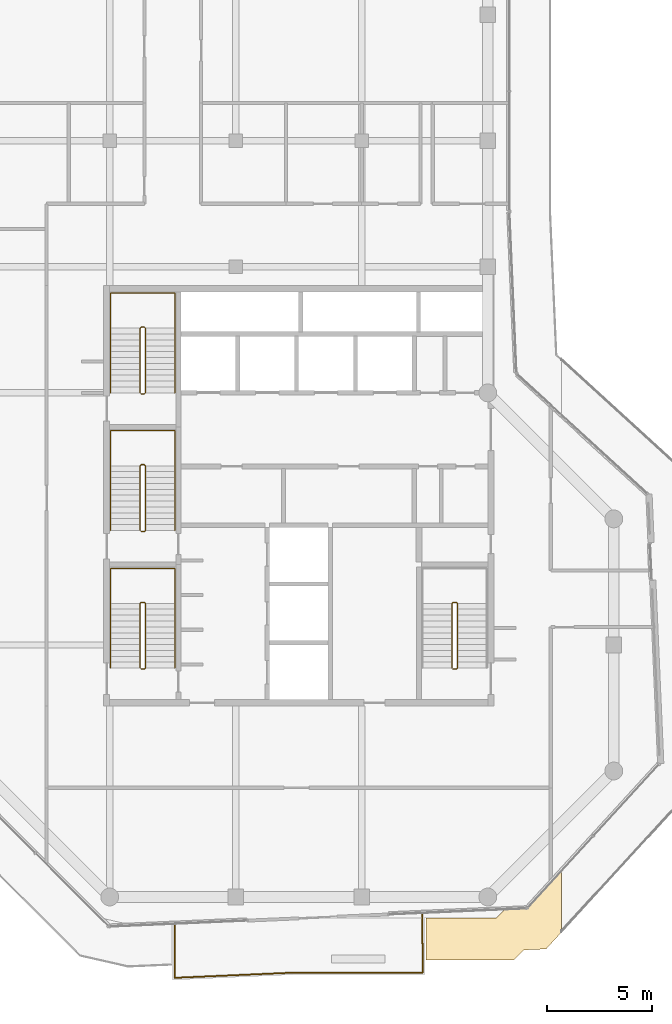
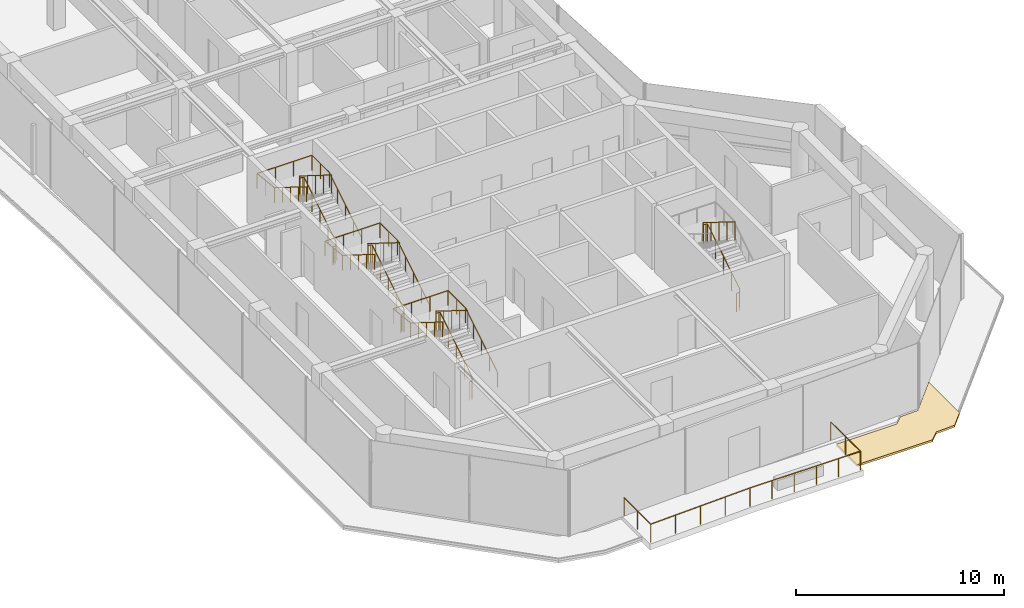
# One storey, part 19 of 20: 8 railings, 1 covering.
"""IFC4 building model written with IfcOpenShell, lengths in metres."""

from ifc_helpers import new_model, si_unit, direction, frame, origin, origin_2d, place, context, subcontext, project, spatial, polyline, circle, outline, extrude, material, layer, layer_set, type_object, element, save


model = new_model("IFC4")

# Units and contexts
model_context = context("Model", 3, precision=1e-05, world=origin(), true_north=direction((0.0, 1.0)))
body_context = subcontext(model_context, "Body", "Model", "MODEL_VIEW")
ifc_project = project(units=[si_unit("LENGTHUNIT", "METRE"), si_unit("AREAUNIT", "SQUARE_METRE"), si_unit("VOLUMEUNIT", "CUBIC_METRE"), si_unit("PLANEANGLEUNIT", "RADIAN"), si_unit("MASSUNIT", "GRAM", prefix="KILO")], contexts=[model_context])

# Site, building, storey
site_placement = place(None, origin())
site = spatial("IfcSite", under=ifc_project, at=site_placement, CompositionType="ELEMENT")
building_placement = place(site_placement, origin())
building = spatial("IfcBuilding", under=site, at=building_placement, Name="Welwitschia Terrace Campus", CompositionType="ELEMENT")
storey_placement = place(building_placement, frame((0.0, 0.0, 297.800048828125)))
storey = spatial("IfcBuildingStorey", under=building, at=storey_placement, Name="L66", CompositionType="ELEMENT", Elevation=297.800048828125)

# Railings
ifc_material_1 = material(Name="Stainless steel grade 316", Category="steel")
railing_type_1 = type_object("IfcRailingType", Name="Guard 1100", PredefinedType="GUARDRAIL", material=ifc_material_1)
railing_1_placement = place(storey_placement, frame((20.88427734375, -4.760009765625, 0.0)))
element("IfcRailing", 1, at=railing_1_placement, inside=storey, type_object=railing_type_1, Name="Guard terrace L66:0:0.0", PredefinedType="GUARDRAIL", context=body_context, shape_type="SweptSolid", body=[
    extrude(circle(Radius=0.02392578125, at=origin_2d()), frame((0.0, 0.0, 1.076171875), z_axis=(0.005501507046, -0.999984866596, 0.0), x_axis=(0.999984866596, 0.005501507046, 0.0)), (0.0, 0.0, 1.0), 2.840087890625),
    extrude(circle(Radius=0.02392578125, at=origin_2d()), frame((0.015625, -2.840087890625, 1.076171875), z_axis=(-1.0, 0.0, 0.0), x_axis=(0.0, -1.0, 0.0)), (0.0, 0.0, 1.0), 6.1416015625),
    extrude(circle(Radius=0.02392578125, at=origin_2d()), frame((-6.1259765625, -2.840087890625, 1.076171875), z_axis=(-0.999049885243, -0.043581266568, 0.0), x_axis=(0.043581266568, -0.999049885243, 0.0)), (0.0, 0.0, 1.0), 5.66357421875),
    extrude(circle(Radius=0.02392578125, at=origin_2d()), frame((-11.7841796875, -3.0869140625, 1.076171875), z_axis=(-0.001518745282, 0.999998846706, 0.0), x_axis=(-0.999998846706, -0.001518745282, 0.0)), (0.0, 0.0, 1.0), 2.572021484375),
    extrude(circle(Radius=0.02099609375, at=origin_2d()), origin(), (0.0, 0.0, 1.0), 1.052001953125),
    extrude(circle(Radius=0.02099609375, at=origin_2d()), frame((0.0078125, -1.419921875, 0.0)), (0.0, 0.0, 1.0), 1.052001953125),
    extrude(circle(Radius=0.02099609375, at=origin_2d()), frame((0.015625, -2.840087890625, 0.0)), (0.0, 0.0, 1.0), 1.052001953125),
    extrude(circle(Radius=0.02099609375, at=origin_2d()), frame((-1.212646484375, -2.840087890625, 0.0)), (0.0, 0.0, 1.0), 1.052001953125),
    extrude(circle(Radius=0.02099609375, at=origin_2d()), frame((-2.44091796875, -2.840087890625, 0.0)), (0.0, 0.0, 1.0), 1.052001953125),
    extrude(circle(Radius=0.02099609375, at=origin_2d()), frame((-3.66943359375, -2.840087890625, 0.0)), (0.0, 0.0, 1.0), 1.052001953125),
    extrude(circle(Radius=0.02099609375, at=origin_2d()), frame((-4.897705078125, -2.840087890625, 0.0)), (0.0, 0.0, 1.0), 1.052001953125),
    extrude(circle(Radius=0.02099609375, at=origin_2d()), frame((-6.1259765625, -2.840087890625, 0.0)), (0.0, 0.0, 1.0), 1.052001953125),
    extrude(circle(Radius=0.02099609375, at=origin_2d()), frame((-7.54052734375, -2.90185546875, 0.0)), (0.0, 0.0, 1.0), 1.052001953125),
    extrude(circle(Radius=0.02099609375, at=origin_2d()), frame((-8.955078125, -2.96337890625, 0.0)), (0.0, 0.0, 1.0), 1.052001953125),
    extrude(circle(Radius=0.02099609375, at=origin_2d()), frame((-10.36962890625, -3.025146484375, 0.0)), (0.0, 0.0, 1.0), 1.052001953125),
    extrude(circle(Radius=0.02099609375, at=origin_2d()), frame((-11.7841796875, -3.0869140625, 0.0)), (0.0, 0.0, 1.0), 1.052001953125),
    extrude(circle(Radius=0.02099609375, at=origin_2d()), frame((-11.7861328125, -1.80078125, 0.0)), (0.0, 0.0, 1.0), 1.052001953125),
    extrude(circle(Radius=0.02099609375, at=origin_2d()), frame((-11.7880859375, -0.514892578125, 0.0)), (0.0, 0.0, 1.0), 1.052001953125),
])
ifc_material_2 = material(Name="Steel S355", Category="steel")
railing_type_2 = type_object("IfcRailingType", Name="Stair guard 1100", PredefinedType="GUARDRAIL", material=ifc_material_2)
railing_2_placement = place(storey_placement, frame((7.5, 6.85009765625, 0.0)))
element("IfcRailing", 2, at=railing_2_placement, inside=storey, type_object=railing_type_2, Name="L66 S1 stair guard", PredefinedType="GUARDRAIL", context=body_context, shape_type="SweptSolid", body=[
    extrude(circle(Radius=0.02392578125, at=origin_2d()), frame((0.0, 0.0, 1.076171875), z_axis=(1.0, 0.0, 0.0), x_axis=(0.0, 1.0, 0.0)), (0.0, 0.0, 1.0), 0.14990234375),
    extrude(circle(Radius=0.02392578125, at=origin_2d()), frame((0.14990234375, 0.0, 1.076171875), z_axis=(0.265155923931, 0.263862480399, 0.927399011991), x_axis=(-0.705375805398, 0.708833529934, 0.0)), (0.0, 0.0, 1.0), 0.188720703125),
    extrude(circle(Radius=0.02392578125, at=origin_2d()), frame((0.199951171875, 0.0498046875, 1.2509765625), z_axis=(0.0, 0.848028513186, 0.529950602248), x_axis=(-1.0, 0.0, 0.0)), (0.0, 0.0, 1.0), 3.632080078125),
    extrude(circle(Radius=0.02392578125, at=origin_2d()), frame((0.199951171875, 3.1298828125, 3.17578125), z_axis=(-0.707106781187, 0.707106781187, 0.0), x_axis=(-0.707106781187, -0.707106781187, 0.0)), (0.0, 0.0, 1.0), 0.07080078125),
    extrude(circle(Radius=0.02392578125, at=origin_2d()), frame((0.14990234375, 3.179931640625, 3.17578125), z_axis=(-1.0, 0.0, 0.0), x_axis=(0.0, -1.0, 0.0)), (0.0, 0.0, 1.0), 0.14990234375),
    extrude(circle(Radius=0.02392578125, at=origin_2d()), frame((0.0, 3.179931640625, 3.17578125), z_axis=(-0.265065253269, -0.265065253269, 0.927081885822), x_axis=(0.707106781187, -0.707106781187, 0.0)), (0.0, 0.0, 1.0), 0.188720703125),
    extrude(circle(Radius=0.02392578125, at=origin_2d()), frame((-0.050048828125, 3.1298828125, 3.35107421875), z_axis=(0.0, -0.847998304005, 0.529998940003), x_axis=(1.0, 0.0, 0.0)), (0.0, 0.0, 1.0), 3.632080078125),
    extrude(circle(Radius=0.02099609375, at=origin_2d()), origin(), (0.0, 0.0, 1.0), 1.052001953125),
    extrude(circle(Radius=0.02099609375, at=origin_2d()), frame((0.14990234375, 0.0, 0.0)), (0.0, 0.0, 1.0), 1.052001953125),
    extrude(circle(Radius=0.02099609375, at=origin_2d()), frame((0.199951171875, 0.0498046875, 0.175048828125)), (0.0, 0.0, 1.0), 1.052001953125),
    extrude(circle(Radius=0.02099609375, at=origin_2d()), frame((0.199951171875, 0.81982421875, 0.65625)), (0.0, 0.0, 1.0), 1.052001953125),
    extrude(circle(Radius=0.02099609375, at=origin_2d()), frame((0.199951171875, 1.58984375, 1.137451171875)), (0.0, 0.0, 1.0), 1.052001953125),
    extrude(circle(Radius=0.02099609375, at=origin_2d()), frame((0.199951171875, 2.35986328125, 1.61865234375)), (0.0, 0.0, 1.0), 1.052001953125),
    extrude(circle(Radius=0.02099609375, at=origin_2d()), frame((0.199951171875, 3.1298828125, 2.099853515625)), (0.0, 0.0, 1.0), 1.052001953125),
    extrude(circle(Radius=0.02099609375, at=origin_2d()), frame((0.14990234375, 3.179931640625, 2.099853515625)), (0.0, 0.0, 1.0), 1.052001953125),
    extrude(circle(Radius=0.02099609375, at=origin_2d()), frame((0.0, 3.179931640625, 2.099853515625)), (0.0, 0.0, 1.0), 1.052001953125),
    extrude(circle(Radius=0.02099609375, at=origin_2d()), frame((-0.050048828125, 3.1298828125, 2.27490234375)), (0.0, 0.0, 1.0), 1.052001953125),
    extrude(circle(Radius=0.02099609375, at=origin_2d()), frame((-0.050048828125, 2.35986328125, 2.756103515625)), (0.0, 0.0, 1.0), 1.052001953125),
    extrude(circle(Radius=0.02099609375, at=origin_2d()), frame((-0.050048828125, 1.58984375, 3.2373046875)), (0.0, 0.0, 1.0), 1.052001953125),
    extrude(circle(Radius=0.02099609375, at=origin_2d()), frame((-0.050048828125, 0.81982421875, 3.71875)), (0.0, 0.0, 1.0), 1.052001953125),
    extrude(circle(Radius=0.02099609375, at=origin_2d()), frame((-0.050048828125, 0.0498046875, 4.199951171875)), (0.0, 0.0, 1.0), 1.052001953125),
])
railing_3_placement = place(storey_placement, frame((7.5, 13.39990234375, 0.0)))
element("IfcRailing", 3, at=railing_3_placement, inside=storey, type_object=railing_type_2, Name="L66 S3 stair guard", PredefinedType="GUARDRAIL", context=body_context, shape_type="SweptSolid", body=[
    extrude(circle(Radius=0.02392578125, at=origin_2d()), frame((0.0, 0.0, 1.076171875), z_axis=(1.0, 0.0, 0.0), x_axis=(0.0, 1.0, 0.0)), (0.0, 0.0, 1.0), 0.14990234375),
    extrude(circle(Radius=0.02392578125, at=origin_2d()), frame((0.14990234375, 0.0, 1.076171875), z_axis=(0.265065253269, 0.265065253269, 0.927081885822), x_axis=(-0.707106781187, 0.707106781187, 0.0)), (0.0, 0.0, 1.0), 0.188720703125),
    extrude(circle(Radius=0.02392578125, at=origin_2d()), frame((0.199951171875, 0.050048828125, 1.2509765625), z_axis=(0.0, 0.848028513186, 0.529950602248), x_axis=(-1.0, 0.0, 0.0)), (0.0, 0.0, 1.0), 3.632080078125),
    extrude(circle(Radius=0.02392578125, at=origin_2d()), frame((0.199951171875, 3.130126953125, 3.17578125), z_axis=(-0.707106781187, 0.707106781187, 0.0), x_axis=(-0.707106781187, -0.707106781187, 0.0)), (0.0, 0.0, 1.0), 0.07080078125),
    extrude(circle(Radius=0.02392578125, at=origin_2d()), frame((0.14990234375, 3.18017578125, 3.17578125), z_axis=(-1.0, 0.0, 0.0), x_axis=(0.0, -1.0, 0.0)), (0.0, 0.0, 1.0), 0.14990234375),
    extrude(circle(Radius=0.02392578125, at=origin_2d()), frame((0.0, 3.18017578125, 3.17578125), z_axis=(-0.265065253269, -0.265065253269, 0.927081885822), x_axis=(0.707106781187, -0.707106781187, 0.0)), (0.0, 0.0, 1.0), 0.188720703125),
    extrude(circle(Radius=0.02392578125, at=origin_2d()), frame((-0.050048828125, 3.130126953125, 3.35107421875), z_axis=(0.0, -0.847998304005, 0.529998940003), x_axis=(1.0, 0.0, 0.0)), (0.0, 0.0, 1.0), 3.632080078125),
    extrude(circle(Radius=0.02099609375, at=origin_2d()), origin(), (0.0, 0.0, 1.0), 1.052001953125),
    extrude(circle(Radius=0.02099609375, at=origin_2d()), frame((0.14990234375, 0.0, 0.0)), (0.0, 0.0, 1.0), 1.052001953125),
    extrude(circle(Radius=0.02099609375, at=origin_2d()), frame((0.199951171875, 0.050048828125, 0.175048828125)), (0.0, 0.0, 1.0), 1.052001953125),
    extrude(circle(Radius=0.02099609375, at=origin_2d()), frame((0.199951171875, 0.820068359375, 0.65625)), (0.0, 0.0, 1.0), 1.052001953125),
    extrude(circle(Radius=0.02099609375, at=origin_2d()), frame((0.199951171875, 1.590087890625, 1.137451171875)), (0.0, 0.0, 1.0), 1.052001953125),
    extrude(circle(Radius=0.02099609375, at=origin_2d()), frame((0.199951171875, 2.360107421875, 1.61865234375)), (0.0, 0.0, 1.0), 1.052001953125),
    extrude(circle(Radius=0.02099609375, at=origin_2d()), frame((0.199951171875, 3.130126953125, 2.099853515625)), (0.0, 0.0, 1.0), 1.052001953125),
    extrude(circle(Radius=0.02099609375, at=origin_2d()), frame((0.14990234375, 3.18017578125, 2.099853515625)), (0.0, 0.0, 1.0), 1.052001953125),
    extrude(circle(Radius=0.02099609375, at=origin_2d()), frame((0.0, 3.18017578125, 2.099853515625)), (0.0, 0.0, 1.0), 1.052001953125),
    extrude(circle(Radius=0.02099609375, at=origin_2d()), frame((-0.050048828125, 3.130126953125, 2.27490234375)), (0.0, 0.0, 1.0), 1.052001953125),
    extrude(circle(Radius=0.02099609375, at=origin_2d()), frame((-0.050048828125, 2.360107421875, 2.756103515625)), (0.0, 0.0, 1.0), 1.052001953125),
    extrude(circle(Radius=0.02099609375, at=origin_2d()), frame((-0.050048828125, 1.590087890625, 3.2373046875)), (0.0, 0.0, 1.0), 1.052001953125),
    extrude(circle(Radius=0.02099609375, at=origin_2d()), frame((-0.050048828125, 0.820068359375, 3.71875)), (0.0, 0.0, 1.0), 1.052001953125),
    extrude(circle(Radius=0.02099609375, at=origin_2d()), frame((-0.050048828125, 0.050048828125, 4.199951171875)), (0.0, 0.0, 1.0), 1.052001953125),
])
railing_4_placement = place(storey_placement, frame((7.5, 19.949951171875, 0.0)))
element("IfcRailing", 4, at=railing_4_placement, inside=storey, type_object=railing_type_2, Name="L66 S4 stair guard", PredefinedType="GUARDRAIL", context=body_context, shape_type="SweptSolid", body=[
    extrude(circle(Radius=0.02392578125, at=origin_2d()), frame((0.0, 0.0, 1.076171875), z_axis=(1.0, 0.0, 0.0), x_axis=(0.0, 1.0, 0.0)), (0.0, 0.0, 1.0), 0.14990234375),
    extrude(circle(Radius=0.02392578125, at=origin_2d()), frame((0.14990234375, 0.0, 1.076171875), z_axis=(0.265065253269, 0.265065253269, 0.927081885822), x_axis=(-0.707106781187, 0.707106781187, 0.0)), (0.0, 0.0, 1.0), 0.188720703125),
    extrude(circle(Radius=0.02392578125, at=origin_2d()), frame((0.199951171875, 0.050048828125, 1.2509765625), z_axis=(0.0, 0.848028513186, 0.529950602248), x_axis=(-1.0, 0.0, 0.0)), (0.0, 0.0, 1.0), 3.632080078125),
    extrude(circle(Radius=0.02392578125, at=origin_2d()), frame((0.199951171875, 3.130126953125, 3.17578125), z_axis=(-0.708833529934, 0.705375805398, 0.0), x_axis=(-0.705375805398, -0.708833529934, 0.0)), (0.0, 0.0, 1.0), 0.070556640625),
    extrude(circle(Radius=0.02392578125, at=origin_2d()), frame((0.14990234375, 3.179931640625, 3.17578125), z_axis=(-1.0, 0.0, 0.0), x_axis=(0.0, -1.0, 0.0)), (0.0, 0.0, 1.0), 0.14990234375),
    extrude(circle(Radius=0.02392578125, at=origin_2d()), frame((0.0, 3.179931640625, 3.17578125), z_axis=(-0.265155923931, -0.263862480399, 0.927399011991), x_axis=(0.705375805398, -0.708833529934, 0.0)), (0.0, 0.0, 1.0), 0.188720703125),
    extrude(circle(Radius=0.02392578125, at=origin_2d()), frame((-0.050048828125, 3.130126953125, 3.35107421875), z_axis=(0.0, -0.847998304005, 0.529998940003), x_axis=(1.0, 0.0, 0.0)), (0.0, 0.0, 1.0), 3.632080078125),
    extrude(circle(Radius=0.02099609375, at=origin_2d()), origin(), (0.0, 0.0, 1.0), 1.052001953125),
    extrude(circle(Radius=0.02099609375, at=origin_2d()), frame((0.14990234375, 0.0, 0.0)), (0.0, 0.0, 1.0), 1.052001953125),
    extrude(circle(Radius=0.02099609375, at=origin_2d()), frame((0.199951171875, 0.050048828125, 0.175048828125)), (0.0, 0.0, 1.0), 1.052001953125),
    extrude(circle(Radius=0.02099609375, at=origin_2d()), frame((0.199951171875, 0.820068359375, 0.65625)), (0.0, 0.0, 1.0), 1.052001953125),
    extrude(circle(Radius=0.02099609375, at=origin_2d()), frame((0.199951171875, 1.590087890625, 1.137451171875)), (0.0, 0.0, 1.0), 1.052001953125),
    extrude(circle(Radius=0.02099609375, at=origin_2d()), frame((0.199951171875, 2.360107421875, 1.61865234375)), (0.0, 0.0, 1.0), 1.052001953125),
    extrude(circle(Radius=0.02099609375, at=origin_2d()), frame((0.199951171875, 3.130126953125, 2.099853515625)), (0.0, 0.0, 1.0), 1.052001953125),
    extrude(circle(Radius=0.02099609375, at=origin_2d()), frame((0.14990234375, 3.179931640625, 2.099853515625)), (0.0, 0.0, 1.0), 1.052001953125),
    extrude(circle(Radius=0.02099609375, at=origin_2d()), frame((0.0, 3.179931640625, 2.099853515625)), (0.0, 0.0, 1.0), 1.052001953125),
    extrude(circle(Radius=0.02099609375, at=origin_2d()), frame((-0.050048828125, 3.130126953125, 2.27490234375)), (0.0, 0.0, 1.0), 1.052001953125),
    extrude(circle(Radius=0.02099609375, at=origin_2d()), frame((-0.050048828125, 2.360107421875, 2.756103515625)), (0.0, 0.0, 1.0), 1.052001953125),
    extrude(circle(Radius=0.02099609375, at=origin_2d()), frame((-0.050048828125, 1.590087890625, 3.2373046875)), (0.0, 0.0, 1.0), 1.052001953125),
    extrude(circle(Radius=0.02099609375, at=origin_2d()), frame((-0.050048828125, 0.820068359375, 3.71875)), (0.0, 0.0, 1.0), 1.052001953125),
    extrude(circle(Radius=0.02099609375, at=origin_2d()), frame((-0.050048828125, 0.050048828125, 4.199951171875)), (0.0, 0.0, 1.0), 1.052001953125),
])
railing_5_placement = place(storey_placement, frame((22.35009765625, 6.85009765625, 0.0)))
element("IfcRailing", 5, at=railing_5_placement, inside=storey, type_object=railing_type_2, Name="L66 S2 stair guard", PredefinedType="GUARDRAIL", context=body_context, shape_type="SweptSolid", body=[
    extrude(circle(Radius=0.02392578125, at=origin_2d()), frame((0.0, 0.0, 1.076171875), z_axis=(1.0, 0.0, 0.0), x_axis=(0.0, 1.0, 0.0)), (0.0, 0.0, 1.0), 0.14990234375),
    extrude(circle(Radius=0.02392578125, at=origin_2d()), frame((0.14990234375, 0.0, 1.076171875), z_axis=(0.265155923931, 0.263862480399, 0.927399011991), x_axis=(-0.705375805398, 0.708833529934, 0.0)), (0.0, 0.0, 1.0), 0.188720703125),
    extrude(circle(Radius=0.02392578125, at=origin_2d()), frame((0.199951171875, 0.0498046875, 1.2509765625), z_axis=(0.0, 0.848028513186, 0.529950602248), x_axis=(-1.0, 0.0, 0.0)), (0.0, 0.0, 1.0), 3.632080078125),
    extrude(circle(Radius=0.02392578125, at=origin_2d()), frame((0.199951171875, 3.1298828125, 3.17578125), z_axis=(-0.707106781187, 0.707106781187, 0.0), x_axis=(-0.707106781187, -0.707106781187, 0.0)), (0.0, 0.0, 1.0), 0.07080078125),
    extrude(circle(Radius=0.02392578125, at=origin_2d()), frame((0.14990234375, 3.179931640625, 3.17578125), z_axis=(-1.0, 0.0, 0.0), x_axis=(0.0, -1.0, 0.0)), (0.0, 0.0, 1.0), 0.14990234375),
    extrude(circle(Radius=0.02392578125, at=origin_2d()), frame((0.0, 3.179931640625, 3.17578125), z_axis=(-0.265065253269, -0.265065253269, 0.927081885822), x_axis=(0.707106781187, -0.707106781187, 0.0)), (0.0, 0.0, 1.0), 0.188720703125),
    extrude(circle(Radius=0.02392578125, at=origin_2d()), frame((-0.050048828125, 3.1298828125, 3.35107421875), z_axis=(0.0, -0.847998304005, 0.529998940003), x_axis=(1.0, 0.0, 0.0)), (0.0, 0.0, 1.0), 3.632080078125),
    extrude(circle(Radius=0.02099609375, at=origin_2d()), origin(), (0.0, 0.0, 1.0), 1.052001953125),
    extrude(circle(Radius=0.02099609375, at=origin_2d()), frame((0.14990234375, 0.0, 0.0)), (0.0, 0.0, 1.0), 1.052001953125),
    extrude(circle(Radius=0.02099609375, at=origin_2d()), frame((0.199951171875, 0.0498046875, 0.175048828125)), (0.0, 0.0, 1.0), 1.052001953125),
    extrude(circle(Radius=0.02099609375, at=origin_2d()), frame((0.199951171875, 0.81982421875, 0.65625)), (0.0, 0.0, 1.0), 1.052001953125),
    extrude(circle(Radius=0.02099609375, at=origin_2d()), frame((0.199951171875, 1.58984375, 1.137451171875)), (0.0, 0.0, 1.0), 1.052001953125),
    extrude(circle(Radius=0.02099609375, at=origin_2d()), frame((0.199951171875, 2.35986328125, 1.61865234375)), (0.0, 0.0, 1.0), 1.052001953125),
    extrude(circle(Radius=0.02099609375, at=origin_2d()), frame((0.199951171875, 3.1298828125, 2.099853515625)), (0.0, 0.0, 1.0), 1.052001953125),
    extrude(circle(Radius=0.02099609375, at=origin_2d()), frame((0.14990234375, 3.179931640625, 2.099853515625)), (0.0, 0.0, 1.0), 1.052001953125),
    extrude(circle(Radius=0.02099609375, at=origin_2d()), frame((0.0, 3.179931640625, 2.099853515625)), (0.0, 0.0, 1.0), 1.052001953125),
    extrude(circle(Radius=0.02099609375, at=origin_2d()), frame((-0.050048828125, 3.1298828125, 2.27490234375)), (0.0, 0.0, 1.0), 1.052001953125),
    extrude(circle(Radius=0.02099609375, at=origin_2d()), frame((-0.050048828125, 2.35986328125, 2.756103515625)), (0.0, 0.0, 1.0), 1.052001953125),
    extrude(circle(Radius=0.02099609375, at=origin_2d()), frame((-0.050048828125, 1.58984375, 3.2373046875)), (0.0, 0.0, 1.0), 1.052001953125),
    extrude(circle(Radius=0.02099609375, at=origin_2d()), frame((-0.050048828125, 0.81982421875, 3.71875)), (0.0, 0.0, 1.0), 1.052001953125),
    extrude(circle(Radius=0.02099609375, at=origin_2d()), frame((-0.050048828125, 0.0498046875, 4.199951171875)), (0.0, 0.0, 1.0), 1.052001953125),
])
ifc_material_3 = material(Name="Steel S355", Category="steel")
railing_type_3 = type_object("IfcRailingType", Name="Stair handrail 900", PredefinedType="HANDRAIL", material=ifc_material_3)
railing_6_placement = place(storey_placement, frame((9.10009765625, 6.89990234375, 0.175048828125)))
element("IfcRailing", 6, at=railing_6_placement, inside=storey, type_object=railing_type_3, Name="L66 S1 stair handrail", PredefinedType="HANDRAIL", context=body_context, shape_type="SweptSolid", body=[
    extrude(circle(Radius=0.02392578125, at=origin_2d()), frame((0.0, 0.0, 0.8759765625), z_axis=(0.0, 0.848028513186, 0.529950602248), x_axis=(-1.0, 0.0, 0.0)), (0.0, 0.0, 1.0), 3.632080078125),
    extrude(circle(Radius=0.02392578125, at=origin_2d()), frame((0.0, 3.080078125, 2.80078125), z_axis=(0.0, 1.0, 0.0), x_axis=(-1.0, 0.0, 0.0)), (0.0, 0.0, 1.0), 1.669921875),
    extrude(circle(Radius=0.02392578125, at=origin_2d()), frame((0.0, 4.75, 2.80078125), z_axis=(-1.0, 0.0, 0.0), x_axis=(0.0, -1.0, 0.0)), (0.0, 0.0, 1.0), 3.050048828125),
    extrude(circle(Radius=0.02392578125, at=origin_2d()), frame((-3.050048828125, 4.75, 2.80078125), z_axis=(0.0, -0.99455077262, 0.104253348533), x_axis=(1.0, 0.0, 0.0)), (0.0, 0.0, 1.0), 1.678955078125),
    extrude(circle(Radius=0.02392578125, at=origin_2d()), frame((-3.050048828125, 3.080078125, 2.9755859375), z_axis=(0.0, -0.847998304005, 0.529998940003), x_axis=(1.0, 0.0, 0.0)), (0.0, 0.0, 1.0), 3.632080078125),
    extrude(circle(Radius=0.02099609375, at=origin_2d()), origin(), (0.0, 0.0, 1.0), 0.851806640625),
    extrude(circle(Radius=0.02099609375, at=origin_2d()), frame((0.0, 0.77001953125, 0.481201171875)), (0.0, 0.0, 1.0), 0.851806640625),
    extrude(circle(Radius=0.02099609375, at=origin_2d()), frame((0.0, 1.5400390625, 0.96240234375)), (0.0, 0.0, 1.0), 0.851806640625),
    extrude(circle(Radius=0.02099609375, at=origin_2d()), frame((0.0, 2.31005859375, 1.443603515625)), (0.0, 0.0, 1.0), 0.851806640625),
    extrude(circle(Radius=0.02099609375, at=origin_2d()), frame((0.0, 3.080078125, 1.9248046875)), (0.0, 0.0, 1.0), 0.851806640625),
    extrude(circle(Radius=0.02099609375, at=origin_2d()), frame((0.0, 3.9150390625, 1.9248046875)), (0.0, 0.0, 1.0), 0.851806640625),
    extrude(circle(Radius=0.02099609375, at=origin_2d()), frame((0.0, 4.75, 1.9248046875)), (0.0, 0.0, 1.0), 0.851806640625),
    extrude(circle(Radius=0.02099609375, at=origin_2d()), frame((-1.0166015625, 4.75, 1.9248046875)), (0.0, 0.0, 1.0), 0.851806640625),
    extrude(circle(Radius=0.02099609375, at=origin_2d()), frame((-2.033447265625, 4.75, 1.9248046875)), (0.0, 0.0, 1.0), 0.851806640625),
    extrude(circle(Radius=0.02099609375, at=origin_2d()), frame((-3.050048828125, 4.75, 1.9248046875)), (0.0, 0.0, 1.0), 0.851806640625),
    extrude(circle(Radius=0.02099609375, at=origin_2d()), frame((-3.050048828125, 3.9150390625, 2.01220703125)), (0.0, 0.0, 1.0), 0.851806640625),
    extrude(circle(Radius=0.02099609375, at=origin_2d()), frame((-3.050048828125, 3.080078125, 2.099853515625)), (0.0, 0.0, 1.0), 0.851806640625),
    extrude(circle(Radius=0.02099609375, at=origin_2d()), frame((-3.050048828125, 2.31005859375, 2.5810546875)), (0.0, 0.0, 1.0), 0.851806640625),
    extrude(circle(Radius=0.02099609375, at=origin_2d()), frame((-3.050048828125, 1.5400390625, 3.0625)), (0.0, 0.0, 1.0), 0.851806640625),
    extrude(circle(Radius=0.02099609375, at=origin_2d()), frame((-3.050048828125, 0.77001953125, 3.543701171875)), (0.0, 0.0, 1.0), 0.851806640625),
    extrude(circle(Radius=0.02099609375, at=origin_2d()), frame((-3.050048828125, 0.0, 4.02490234375)), (0.0, 0.0, 1.0), 0.851806640625),
])
railing_7_placement = place(storey_placement, frame((9.10009765625, 13.449951171875, 0.175048828125)))
element("IfcRailing", 7, at=railing_7_placement, inside=storey, type_object=railing_type_3, Name="L66 S3 stair handrail", PredefinedType="HANDRAIL", context=body_context, shape_type="SweptSolid", body=[
    extrude(circle(Radius=0.02392578125, at=origin_2d()), frame((0.0, 0.0, 0.8759765625), z_axis=(0.0, 0.848028513186, 0.529950602248), x_axis=(-1.0, 0.0, 0.0)), (0.0, 0.0, 1.0), 3.632080078125),
    extrude(circle(Radius=0.02392578125, at=origin_2d()), frame((0.0, 3.080078125, 2.80078125), z_axis=(0.0, 1.0, 0.0), x_axis=(-1.0, 0.0, 0.0)), (0.0, 0.0, 1.0), 1.669921875),
    extrude(circle(Radius=0.02392578125, at=origin_2d()), frame((0.0, 4.75, 2.80078125), z_axis=(-1.0, 0.0, 0.0), x_axis=(0.0, -1.0, 0.0)), (0.0, 0.0, 1.0), 3.050048828125),
    extrude(circle(Radius=0.02392578125, at=origin_2d()), frame((-3.050048828125, 4.75, 2.80078125), z_axis=(0.0, -0.99455077262, 0.104253348533), x_axis=(1.0, 0.0, 0.0)), (0.0, 0.0, 1.0), 1.678955078125),
    extrude(circle(Radius=0.02392578125, at=origin_2d()), frame((-3.050048828125, 3.080078125, 2.9755859375), z_axis=(0.0, -0.847998304005, 0.529998940003), x_axis=(1.0, 0.0, 0.0)), (0.0, 0.0, 1.0), 3.632080078125),
    extrude(circle(Radius=0.02099609375, at=origin_2d()), origin(), (0.0, 0.0, 1.0), 0.851806640625),
    extrude(circle(Radius=0.02099609375, at=origin_2d()), frame((0.0, 0.77001953125, 0.481201171875)), (0.0, 0.0, 1.0), 0.851806640625),
    extrude(circle(Radius=0.02099609375, at=origin_2d()), frame((0.0, 1.5400390625, 0.96240234375)), (0.0, 0.0, 1.0), 0.851806640625),
    extrude(circle(Radius=0.02099609375, at=origin_2d()), frame((0.0, 2.31005859375, 1.443603515625)), (0.0, 0.0, 1.0), 0.851806640625),
    extrude(circle(Radius=0.02099609375, at=origin_2d()), frame((0.0, 3.080078125, 1.9248046875)), (0.0, 0.0, 1.0), 0.851806640625),
    extrude(circle(Radius=0.02099609375, at=origin_2d()), frame((0.0, 3.9150390625, 1.9248046875)), (0.0, 0.0, 1.0), 0.851806640625),
    extrude(circle(Radius=0.02099609375, at=origin_2d()), frame((0.0, 4.75, 1.9248046875)), (0.0, 0.0, 1.0), 0.851806640625),
    extrude(circle(Radius=0.02099609375, at=origin_2d()), frame((-1.0166015625, 4.75, 1.9248046875)), (0.0, 0.0, 1.0), 0.851806640625),
    extrude(circle(Radius=0.02099609375, at=origin_2d()), frame((-2.033447265625, 4.75, 1.9248046875)), (0.0, 0.0, 1.0), 0.851806640625),
    extrude(circle(Radius=0.02099609375, at=origin_2d()), frame((-3.050048828125, 4.75, 1.9248046875)), (0.0, 0.0, 1.0), 0.851806640625),
    extrude(circle(Radius=0.02099609375, at=origin_2d()), frame((-3.050048828125, 3.9150390625, 2.01220703125)), (0.0, 0.0, 1.0), 0.851806640625),
    extrude(circle(Radius=0.02099609375, at=origin_2d()), frame((-3.050048828125, 3.080078125, 2.099853515625)), (0.0, 0.0, 1.0), 0.851806640625),
    extrude(circle(Radius=0.02099609375, at=origin_2d()), frame((-3.050048828125, 2.31005859375, 2.5810546875)), (0.0, 0.0, 1.0), 0.851806640625),
    extrude(circle(Radius=0.02099609375, at=origin_2d()), frame((-3.050048828125, 1.5400390625, 3.0625)), (0.0, 0.0, 1.0), 0.851806640625),
    extrude(circle(Radius=0.02099609375, at=origin_2d()), frame((-3.050048828125, 0.77001953125, 3.543701171875)), (0.0, 0.0, 1.0), 0.851806640625),
    extrude(circle(Radius=0.02099609375, at=origin_2d()), frame((-3.050048828125, 0.0, 4.02490234375)), (0.0, 0.0, 1.0), 0.851806640625),
])
railing_8_placement = place(storey_placement, frame((9.10009765625, 20.0, 0.175048828125)))
element("IfcRailing", 8, at=railing_8_placement, inside=storey, type_object=railing_type_3, Name="L66 S4 stair handrail", PredefinedType="HANDRAIL", context=body_context, shape_type="SweptSolid", body=[
    extrude(circle(Radius=0.02392578125, at=origin_2d()), frame((0.0, 0.0, 0.8759765625), z_axis=(0.0, 0.848028513186, 0.529950602248), x_axis=(-1.0, 0.0, 0.0)), (0.0, 0.0, 1.0), 3.632080078125),
    extrude(circle(Radius=0.02392578125, at=origin_2d()), frame((0.0, 3.080078125, 2.80078125), z_axis=(0.0, 1.0, 0.0), x_axis=(-1.0, 0.0, 0.0)), (0.0, 0.0, 1.0), 1.669921875),
    extrude(circle(Radius=0.02392578125, at=origin_2d()), frame((0.0, 4.75, 2.80078125), z_axis=(-1.0, 0.0, 0.0), x_axis=(0.0, -1.0, 0.0)), (0.0, 0.0, 1.0), 3.050048828125),
    extrude(circle(Radius=0.02392578125, at=origin_2d()), frame((-3.050048828125, 4.75, 2.80078125), z_axis=(0.0, -0.99455077262, 0.104253348533), x_axis=(1.0, 0.0, 0.0)), (0.0, 0.0, 1.0), 1.678955078125),
    extrude(circle(Radius=0.02392578125, at=origin_2d()), frame((-3.050048828125, 3.080078125, 2.9755859375), z_axis=(0.0, -0.847998304005, 0.529998940003), x_axis=(1.0, 0.0, 0.0)), (0.0, 0.0, 1.0), 3.632080078125),
    extrude(circle(Radius=0.02099609375, at=origin_2d()), origin(), (0.0, 0.0, 1.0), 0.851806640625),
    extrude(circle(Radius=0.02099609375, at=origin_2d()), frame((0.0, 0.77001953125, 0.481201171875)), (0.0, 0.0, 1.0), 0.851806640625),
    extrude(circle(Radius=0.02099609375, at=origin_2d()), frame((0.0, 1.5400390625, 0.96240234375)), (0.0, 0.0, 1.0), 0.851806640625),
    extrude(circle(Radius=0.02099609375, at=origin_2d()), frame((0.0, 2.31005859375, 1.443603515625)), (0.0, 0.0, 1.0), 0.851806640625),
    extrude(circle(Radius=0.02099609375, at=origin_2d()), frame((0.0, 3.080078125, 1.9248046875)), (0.0, 0.0, 1.0), 0.851806640625),
    extrude(circle(Radius=0.02099609375, at=origin_2d()), frame((0.0, 3.9150390625, 1.9248046875)), (0.0, 0.0, 1.0), 0.851806640625),
    extrude(circle(Radius=0.02099609375, at=origin_2d()), frame((0.0, 4.75, 1.9248046875)), (0.0, 0.0, 1.0), 0.851806640625),
    extrude(circle(Radius=0.02099609375, at=origin_2d()), frame((-1.0166015625, 4.75, 1.9248046875)), (0.0, 0.0, 1.0), 0.851806640625),
    extrude(circle(Radius=0.02099609375, at=origin_2d()), frame((-2.033447265625, 4.75, 1.9248046875)), (0.0, 0.0, 1.0), 0.851806640625),
    extrude(circle(Radius=0.02099609375, at=origin_2d()), frame((-3.050048828125, 4.75, 1.9248046875)), (0.0, 0.0, 1.0), 0.851806640625),
    extrude(circle(Radius=0.02099609375, at=origin_2d()), frame((-3.050048828125, 3.9150390625, 2.01220703125)), (0.0, 0.0, 1.0), 0.851806640625),
    extrude(circle(Radius=0.02099609375, at=origin_2d()), frame((-3.050048828125, 3.080078125, 2.099853515625)), (0.0, 0.0, 1.0), 0.851806640625),
    extrude(circle(Radius=0.02099609375, at=origin_2d()), frame((-3.050048828125, 2.31005859375, 2.5810546875)), (0.0, 0.0, 1.0), 0.851806640625),
    extrude(circle(Radius=0.02099609375, at=origin_2d()), frame((-3.050048828125, 1.5400390625, 3.0625)), (0.0, 0.0, 1.0), 0.851806640625),
    extrude(circle(Radius=0.02099609375, at=origin_2d()), frame((-3.050048828125, 0.77001953125, 3.543701171875)), (0.0, 0.0, 1.0), 0.851806640625),
    extrude(circle(Radius=0.02099609375, at=origin_2d()), frame((-3.050048828125, 0.0, 4.02490234375)), (0.0, 0.0, 1.0), 0.851806640625),
])

# Covering
ifc_material_4 = material(Name="Bronze anodised aluminium", Category="aluminium")
ifc_layer = layer(ifc_material_4, 0.1201171875)
ifc_layer_set = layer_set([ifc_layer], Name="Bronze anodised aluminium")
covering_type = type_object("IfcCoveringType", Name="Sunshade band 2000", PredefinedType="USERDEFINED", material=ifc_layer_set)
covering_placement = place(storey_placement, frame((0.0, 0.0, -0.25)))
element("IfcCovering", 9, at=covering_placement, inside=storey, type_object=covering_type, Name="SUNSHADE L66.SW1", ObjectType="SUNSHADE", PredefinedType="USERDEFINED", context=body_context, shape_type="SweptSolid", body=[
    extrude(outline(polyline([(26.775390625, -6.474609375), (25.721923828125, -6.520751953125), (25.24267578125, -7.0), (21.050048828125, -7.0), (21.050048828125, -5.0), (24.414306640625, -5.0), (24.857666015625, -4.556640625), (25.860595703125, -4.5126953125), (27.50439453125, -2.71875), (27.50439453125, -5.67919921875), (26.775390625, -6.474609375)])), origin(), (0.0, 0.0, 1.0), 0.119873046875),
])

save(model, "model.ifc")
